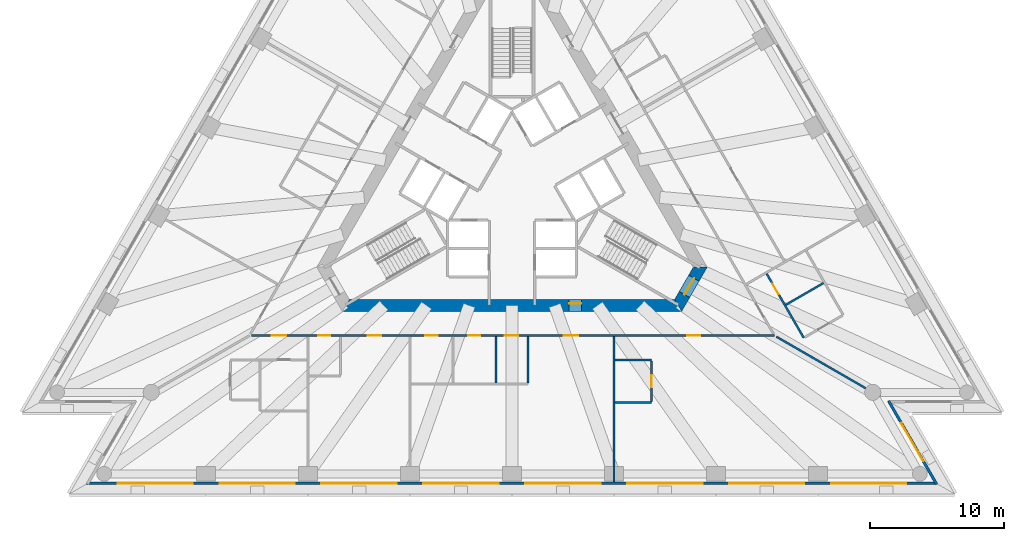
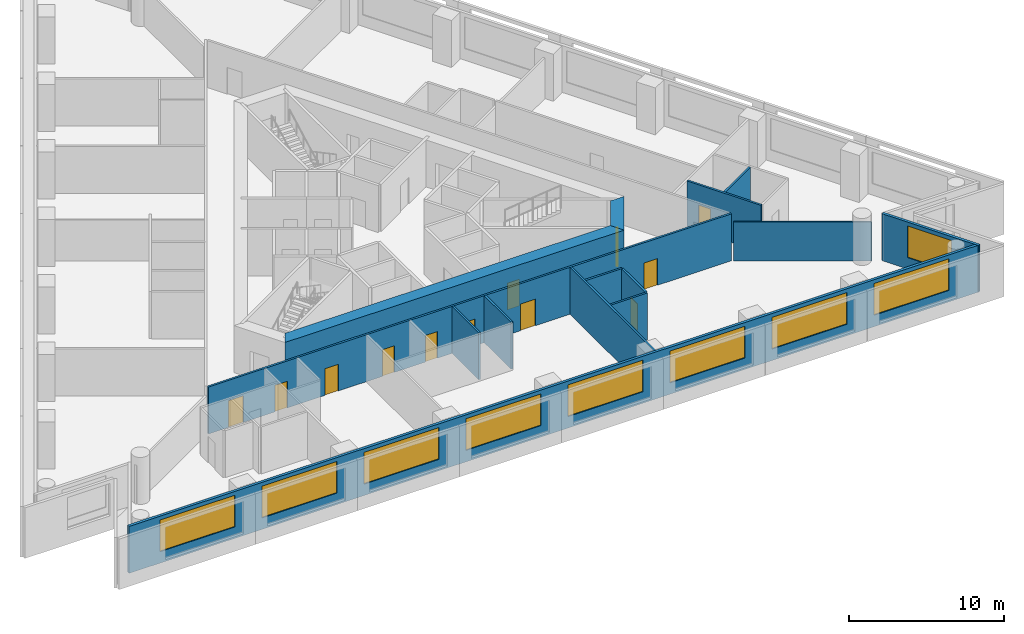
# One storey, part 5 of 11: 14 walls, 12 doors, 9 windows, 21 openings.
"""IFC4 building model written with IfcOpenShell, lengths in metres."""

from ifc_helpers import new_model, si_unit, direction, frame, frame_2d, origin, place, context, subcontext, project, spatial, polyline, rectangle, outline, extrude, material, layer, layer_set, layer_usage, type_object, element, fill, save


model = new_model("IFC4")

# Units and contexts
model_context = context("Model", 3, precision=1e-05, world=origin(), true_north=direction((0.0, 1.0)))
body_context = subcontext(model_context, "Body", "Model", "MODEL_VIEW")
ifc_project = project(units=[si_unit("LENGTHUNIT", "METRE"), si_unit("AREAUNIT", "SQUARE_METRE"), si_unit("VOLUMEUNIT", "CUBIC_METRE"), si_unit("PLANEANGLEUNIT", "RADIAN"), si_unit("MASSUNIT", "GRAM", prefix="KILO")], contexts=[model_context])

# Site, building, storey
site_placement = place(None, origin())
site = spatial("IfcSite", under=ifc_project, at=site_placement, CompositionType="ELEMENT")
building_placement = place(site_placement, origin())
building = spatial("IfcBuilding", under=site, at=building_placement, Name="Triada Interchange Tower", CompositionType="ELEMENT")
storey_placement = place(building_placement, frame((0.0, 0.0, 39.300048828125)))
storey = spatial("IfcBuildingStorey", under=building, at=storey_placement, Name="L07", CompositionType="ELEMENT", Elevation=39.300048828125)

# Wall, opening, door
ifc_material_1 = material(Name="Concrete C70/85", Category="concrete")
ifc_layer_1 = layer(ifc_material_1, 0.89990234375)
ifc_layer_set_1 = layer_set([ifc_layer_1], Name="Core wall A 900")
wall_type_1 = type_object("IfcWallType", Name="Core wall A 900", PredefinedType="SHEAR", material=ifc_layer_set_1)
wall_1_placement = place(storey_placement, frame((-12.384033203125, -9.050048828125, -0.300048828125), z_axis=(0.0, 0.0, 1.0), x_axis=(1.0, 0.0, 0.0)))
wall_1 = element("IfcWall", 1, at=wall_1_placement, inside=storey, type_object=wall_type_1, Name="Core wall WA04 L07", PredefinedType="SHEAR", context=body_context, shape_type="SweptSolid", body=[
    extrude(outline(polyline([(-0.260009765625, -0.449951171875), (1.685302734375, -0.449951171875), (3.63037109375, -0.449951171875), (5.57568359375, -0.449951171875), (7.52099609375, -0.449951171875), (9.466064453125, -0.449951171875), (11.411376953125, -0.449951171875), (13.356689453125, -0.449951171875), (15.302001953125, -0.449951171875), (17.2470703125, -0.449951171875), (19.1923828125, -0.449951171875), (21.1376953125, -0.449951171875), (23.082763671875, -0.449951171875), (25.028076171875, -0.449951171875), (24.508056640625, 0.449951171875), (22.642822265625, 0.449951171875), (20.777587890625, 0.449951171875), (18.912353515625, 0.449951171875), (17.047119140625, 0.449951171875), (15.181884765625, 0.449951171875), (13.316650390625, 0.449951171875), (11.451416015625, 0.449951171875), (9.586181640625, 0.449951171875), (7.720947265625, 0.449951171875), (5.855712890625, 0.449951171875), (3.990478515625, 0.449951171875), (2.125244140625, 0.449951171875), (0.260009765625, 0.449951171875), (-0.260009765625, -0.449951171875)])), origin(), (0.0, 0.0, 1.0), 4.0),
])
opening_1_placement = place(wall_1_placement, frame((16.64794921875, 0.0, 0.300048828125)))
opening_1 = element("IfcOpeningElement", 2, at=opening_1_placement, cuts=wall_1, Name="Opening D06-45", PredefinedType="OPENING", context=body_context, shape_type="SweptSolid", body=[
    extrude(rectangle(XDim=0.89990234375, YDim=2.10009765625, at=frame_2d((0.449951171875, 1.050048828125))), frame((0.0, 0.4599609375, 0.0), z_axis=(0.0, -1.0, 0.0), x_axis=(1.0, 0.0, 0.0)), (0.0, 0.0, 1.0), 0.919921875),
])
ifc_material_2 = material(Name="Steel S235 door leaf", Category="steel")
door_type_1 = type_object("IfcDoorType", Name="SERVICE DOOR 900 EI2 45-C5S200", OperationType="NOTDEFINED", PredefinedType="DOOR", material=ifc_material_2)
door_1_placement = place(opening_1_placement, origin())
door_1 = element("IfcDoor", 3, at=door_1_placement, inside=storey, type_object=door_type_1, Name="Door D06-45 L07", OperationType="SINGLE_SWING_LEFT", OverallHeight=2.10009765625, OverallWidth=0.89990234375, PredefinedType="DOOR", context=body_context, shape_type="SweptSolid", body=[
    extrude(rectangle(XDim=0.89990234375, YDim=2.10009765625, at=frame_2d((0.449951171875, 1.050048828125))), frame((0.0, 0.1748046875, 0.0), z_axis=(0.0, -1.0, 0.0), x_axis=(1.0, 0.0, 0.0)), (0.0, 0.0, 1.0), 0.050048828125),
])
fill(opening_1, door_1)

wall_2_placement = place(storey_placement, frame((12.384033203125, -9.050048828125, -0.300048828125), z_axis=(0.0, 0.0, 1.0), x_axis=(0.500111984565, 0.865960739811, 0.0)))
wall_2 = element("IfcWall", 4, at=wall_2_placement, inside=storey, type_object=wall_type_1, Name="Core wall WA05 L07", PredefinedType="SHEAR", context=body_context, shape_type="SweptSolid", body=[
    extrude(outline(polyline([(-0.260009765625, -0.449951171875), (1.6455078125, -0.449462890625), (3.551025390625, -0.448974609375), (3.031005859375, 0.449951171875), (1.6455078125, 0.449951171875), (0.260009765625, 0.449951171875), (-0.260009765625, -0.449951171875)])), origin(), (0.0, 0.0, 1.0), 4.0),
])
opening_2_placement = place(wall_2_placement, frame((0.946044921875, 0.0, 0.300048828125)))
opening_2 = element("IfcOpeningElement", 5, at=opening_2_placement, cuts=wall_2, Name="Opening D06-43", PredefinedType="OPENING", context=body_context, shape_type="SweptSolid", body=[
    extrude(rectangle(XDim=1.39990234375, YDim=2.10009765625, at=frame_2d((0.699951171875, 1.050048828125))), frame((0.0, 0.4599609375, 0.0), z_axis=(0.0, -1.0, 0.0), x_axis=(1.0, 0.0, 0.0)), (0.0, 0.0, 1.0), 0.919921875),
])
door_type_2 = type_object("IfcDoorType", Name="STAIR DOOR 1400 EI2 90-C5S200", OperationType="DOUBLE_DOOR_SINGLE_SWING", PredefinedType="DOOR", material=ifc_material_2)
door_2_placement = place(opening_2_placement, origin())
door_2 = element("IfcDoor", 6, at=door_2_placement, inside=storey, type_object=door_type_2, Name="Door D06-43 L07", OperationType="DOUBLE_DOOR_SINGLE_SWING", OverallHeight=2.10009765625, OverallWidth=1.39990234375, PredefinedType="DOOR", context=body_context, shape_type="SweptSolid", body=[
    extrude(rectangle(XDim=1.39990234375, YDim=2.10009765625, at=frame_2d((0.699951171875, 1.050048828125))), frame((0.0, 0.02490234375, 0.0), z_axis=(0.0, -1.0, 0.0), x_axis=(1.0, 0.0, 0.0)), (0.0, 0.0, 1.0), 0.050048828125),
])
fill(opening_2, door_2)

# Wall, openings, windows
ifc_material_3 = material(Name="Cement board")
ifc_layer_2 = layer(ifc_material_3, 0.02001953125, Name="Cement board cladding")
ifc_material_4 = material(Name="Sheathing board")
ifc_layer_3 = layer(ifc_material_4, 0.014892578125, Name="Sheathing board")
ifc_material_5 = material(Name="Mineral wool")
ifc_layer_4 = layer(ifc_material_5, 0.14990234375, Name="Mineral wool between steel studs")
ifc_material_6 = material(Name="Gypsum board")
ifc_layer_5 = layer(ifc_material_6, 0.014892578125, Name="Plasterboard lining")
ifc_layer_set_2 = layer_set([ifc_layer_2, ifc_layer_3, ifc_layer_4, ifc_layer_5], Name="External wall 200")
ifc_layer_usage = layer_usage(ifc_layer_set_2, "AXIS2", "POSITIVE", -0.10009765625)
wall_type_2 = type_object("IfcWallType", Name="External wall 200", PredefinedType="ELEMENTEDWALL", material=ifc_layer_set_2)
wall_3_placement = place(storey_placement, frame((-31.699951171875, -22.300048828125, 0.0), z_axis=(0.0, 0.0, 1.0), x_axis=(1.0, 0.0, 0.0)))
wall_3 = element("IfcWall", 7, at=wall_3_placement, inside=storey, type_object=wall_type_2, material=ifc_layer_usage, Name="External wall L07 S", PredefinedType="ELEMENTEDWALL", context=body_context, shape_type="SweptSolid", body=[
    extrude(rectangle(XDim=63.3798828125, YDim=0.199951171875, at=frame_2d((31.68994140625, 0.0))), origin(), (0.0, 0.0, 1.0), 3.699951171875),
])
opening_3_placement = place(wall_3_placement, frame((2.302978515625, 0.0, 0.89990234375)))
opening_3 = element("IfcOpeningElement", 8, at=opening_3_placement, cuts=wall_3, Name="Opening WA11", PredefinedType="OPENING", context=body_context, shape_type="SweptSolid", body=[
    extrude(rectangle(XDim=5.60009765625, YDim=2.5, at=frame_2d((2.800048828125, 1.25))), frame((0.0, 0.10986328125, 0.0), z_axis=(0.0, -1.0, 0.0), x_axis=(1.0, 0.0, 0.0)), (0.0, 0.0, 1.0), 0.219970703125),
])
opening_4_placement = place(wall_3_placement, frame((9.902099609375, 0.0, 0.89990234375)))
opening_4 = element("IfcOpeningElement", 9, at=opening_4_placement, cuts=wall_3, Name="Opening WA12", PredefinedType="OPENING", context=body_context, shape_type="SweptSolid", body=[
    extrude(rectangle(XDim=5.60009765625, YDim=2.5, at=frame_2d((2.800048828125, 1.25))), frame((0.0, 0.10986328125, 0.0), z_axis=(0.0, -1.0, 0.0), x_axis=(1.0, 0.0, 0.0)), (0.0, 0.0, 1.0), 0.219970703125),
])
opening_5_placement = place(wall_3_placement, frame((17.5009765625, 0.0, 0.89990234375)))
opening_5 = element("IfcOpeningElement", 10, at=opening_5_placement, cuts=wall_3, Name="Opening WA13", PredefinedType="OPENING", context=body_context, shape_type="SweptSolid", body=[
    extrude(rectangle(XDim=5.60009765625, YDim=2.5, at=frame_2d((2.800048828125, 1.25))), frame((0.0, 0.10986328125, 0.0), z_axis=(0.0, -1.0, 0.0), x_axis=(1.0, 0.0, 0.0)), (0.0, 0.0, 1.0), 0.219970703125),
])
opening_6_placement = place(wall_3_placement, frame((25.10009765625, 0.0, 0.89990234375)))
opening_6 = element("IfcOpeningElement", 11, at=opening_6_placement, cuts=wall_3, Name="Opening WA14", PredefinedType="OPENING", context=body_context, shape_type="SweptSolid", body=[
    extrude(rectangle(XDim=5.60009765625, YDim=2.5, at=frame_2d((2.800048828125, 1.25))), frame((0.0, 0.10986328125, 0.0), z_axis=(0.0, -1.0, 0.0), x_axis=(1.0, 0.0, 0.0)), (0.0, 0.0, 1.0), 0.219970703125),
])
opening_7_placement = place(wall_3_placement, frame((32.699951171875, 0.0, 0.89990234375)))
opening_7 = element("IfcOpeningElement", 12, at=opening_7_placement, cuts=wall_3, Name="Opening WA15", PredefinedType="OPENING", context=body_context, shape_type="SweptSolid", body=[
    extrude(rectangle(XDim=5.60009765625, YDim=2.5, at=frame_2d((2.800048828125, 1.25))), frame((0.0, 0.10986328125, 0.0), z_axis=(0.0, -1.0, 0.0), x_axis=(1.0, 0.0, 0.0)), (0.0, 0.0, 1.0), 0.219970703125),
])
opening_8_placement = place(wall_3_placement, frame((40.299072265625, 0.0, 0.89990234375)))
opening_8 = element("IfcOpeningElement", 13, at=opening_8_placement, cuts=wall_3, Name="Opening WA16", PredefinedType="OPENING", context=body_context, shape_type="SweptSolid", body=[
    extrude(rectangle(XDim=5.60009765625, YDim=2.5, at=frame_2d((2.800048828125, 1.25))), frame((0.0, 0.10986328125, 0.0), z_axis=(0.0, -1.0, 0.0), x_axis=(1.0, 0.0, 0.0)), (0.0, 0.0, 1.0), 0.219970703125),
])
opening_9_placement = place(wall_3_placement, frame((47.89794921875, 0.0, 0.89990234375)))
opening_9 = element("IfcOpeningElement", 14, at=opening_9_placement, cuts=wall_3, Name="Opening WA17", PredefinedType="OPENING", context=body_context, shape_type="SweptSolid", body=[
    extrude(rectangle(XDim=5.60009765625, YDim=2.5, at=frame_2d((2.800048828125, 1.25))), frame((0.0, 0.10986328125, 0.0), z_axis=(0.0, -1.0, 0.0), x_axis=(1.0, 0.0, 0.0)), (0.0, 0.0, 1.0), 0.219970703125),
])
opening_10_placement = place(wall_3_placement, frame((55.4970703125, 0.0, 0.89990234375)))
opening_10 = element("IfcOpeningElement", 15, at=opening_10_placement, cuts=wall_3, Name="Opening WA18", PredefinedType="OPENING", context=body_context, shape_type="SweptSolid", body=[
    extrude(rectangle(XDim=5.60009765625, YDim=2.5, at=frame_2d((2.800048828125, 1.25))), frame((0.0, 0.10986328125, 0.0), z_axis=(0.0, -1.0, 0.0), x_axis=(1.0, 0.0, 0.0)), (0.0, 0.0, 1.0), 0.219970703125),
])
ifc_material_7 = material(Name="Double glazed aluminium window", Category="aluminium")
window_type_1 = type_object("IfcWindowType", Name="Ribbon window A face", PartitioningType="SINGLE_PANEL", PredefinedType="WINDOW", material=ifc_material_7)
window_1_placement = place(opening_3_placement, origin())
window_1 = element("IfcWindow", 16, at=window_1_placement, inside=storey, type_object=window_type_1, Name="Window L07 S 1", OverallHeight=2.5, OverallWidth=5.60009765625, PartitioningType="SINGLE_PANEL", PredefinedType="WINDOW", context=body_context, shape_type="SweptSolid", body=[
    extrude(rectangle(XDim=5.60009765625, YDim=2.5, at=frame_2d((2.800048828125, 1.25))), frame((0.0, 0.030029296875, 0.0), z_axis=(0.0, -1.0, 0.0), x_axis=(1.0, 0.0, 0.0)), (0.0, 0.0, 1.0), 0.06005859375),
])
fill(opening_3, window_1)
window_2_placement = place(opening_4_placement, origin())
window_2 = element("IfcWindow", 17, at=window_2_placement, inside=storey, type_object=window_type_1, Name="Window L07 S 2", OverallHeight=2.5, OverallWidth=5.60009765625, PartitioningType="SINGLE_PANEL", PredefinedType="WINDOW", context=body_context, shape_type="SweptSolid", body=[
    extrude(rectangle(XDim=5.60009765625, YDim=2.5, at=frame_2d((2.800048828125, 1.25))), frame((0.0, 0.030029296875, 0.0), z_axis=(0.0, -1.0, 0.0), x_axis=(1.0, 0.0, 0.0)), (0.0, 0.0, 1.0), 0.06005859375),
])
fill(opening_4, window_2)
window_3_placement = place(opening_5_placement, origin())
window_3 = element("IfcWindow", 18, at=window_3_placement, inside=storey, type_object=window_type_1, Name="Window L07 S 3", OverallHeight=2.5, OverallWidth=5.60009765625, PartitioningType="SINGLE_PANEL", PredefinedType="WINDOW", context=body_context, shape_type="SweptSolid", body=[
    extrude(rectangle(XDim=5.60009765625, YDim=2.5, at=frame_2d((2.800048828125, 1.25))), frame((0.0, 0.030029296875, 0.0), z_axis=(0.0, -1.0, 0.0), x_axis=(1.0, 0.0, 0.0)), (0.0, 0.0, 1.0), 0.06005859375),
])
fill(opening_5, window_3)
window_4_placement = place(opening_6_placement, origin())
window_4 = element("IfcWindow", 19, at=window_4_placement, inside=storey, type_object=window_type_1, Name="Window L07 S 4", OverallHeight=2.5, OverallWidth=5.60009765625, PartitioningType="SINGLE_PANEL", PredefinedType="WINDOW", context=body_context, shape_type="SweptSolid", body=[
    extrude(rectangle(XDim=5.60009765625, YDim=2.5, at=frame_2d((2.800048828125, 1.25))), frame((0.0, 0.030029296875, 0.0), z_axis=(0.0, -1.0, 0.0), x_axis=(1.0, 0.0, 0.0)), (0.0, 0.0, 1.0), 0.06005859375),
])
fill(opening_6, window_4)
window_5_placement = place(opening_7_placement, origin())
window_5 = element("IfcWindow", 20, at=window_5_placement, inside=storey, type_object=window_type_1, Name="Window L07 S 5", OverallHeight=2.5, OverallWidth=5.60009765625, PartitioningType="SINGLE_PANEL", PredefinedType="WINDOW", context=body_context, shape_type="SweptSolid", body=[
    extrude(rectangle(XDim=5.60009765625, YDim=2.5, at=frame_2d((2.800048828125, 1.25))), frame((0.0, 0.030029296875, 0.0), z_axis=(0.0, -1.0, 0.0), x_axis=(1.0, 0.0, 0.0)), (0.0, 0.0, 1.0), 0.06005859375),
])
fill(opening_7, window_5)
window_6_placement = place(opening_8_placement, origin())
window_6 = element("IfcWindow", 21, at=window_6_placement, inside=storey, type_object=window_type_1, Name="Window L07 S 6", OverallHeight=2.5, OverallWidth=5.60009765625, PartitioningType="SINGLE_PANEL", PredefinedType="WINDOW", context=body_context, shape_type="SweptSolid", body=[
    extrude(rectangle(XDim=5.60009765625, YDim=2.5, at=frame_2d((2.800048828125, 1.25))), frame((0.0, 0.030029296875, 0.0), z_axis=(0.0, -1.0, 0.0), x_axis=(1.0, 0.0, 0.0)), (0.0, 0.0, 1.0), 0.06005859375),
])
fill(opening_8, window_6)
window_7_placement = place(opening_9_placement, origin())
window_7 = element("IfcWindow", 22, at=window_7_placement, inside=storey, type_object=window_type_1, Name="Window L07 S 7", OverallHeight=2.5, OverallWidth=5.60009765625, PartitioningType="SINGLE_PANEL", PredefinedType="WINDOW", context=body_context, shape_type="SweptSolid", body=[
    extrude(rectangle(XDim=5.60009765625, YDim=2.5, at=frame_2d((2.800048828125, 1.25))), frame((0.0, 0.030029296875, 0.0), z_axis=(0.0, -1.0, 0.0), x_axis=(1.0, 0.0, 0.0)), (0.0, 0.0, 1.0), 0.06005859375),
])
fill(opening_9, window_7)
window_8_placement = place(opening_10_placement, origin())
window_8 = element("IfcWindow", 23, at=window_8_placement, inside=storey, type_object=window_type_1, Name="Window L07 S 8", OverallHeight=2.5, OverallWidth=5.60009765625, PartitioningType="SINGLE_PANEL", PredefinedType="WINDOW", context=body_context, shape_type="SweptSolid", body=[
    extrude(rectangle(XDim=5.60009765625, YDim=2.5, at=frame_2d((2.800048828125, 1.25))), frame((0.0, 0.030029296875, 0.0), z_axis=(0.0, -1.0, 0.0), x_axis=(1.0, 0.0, 0.0)), (0.0, 0.0, 1.0), 0.06005859375),
])
fill(opening_10, window_8)

# Wall, opening, window
wall_4_placement = place(storey_placement, frame((31.655029296875, -22.3779296875, 0.0), z_axis=(0.0, 0.0, 1.0), x_axis=(-0.499930606701, 0.866065464318, 0.0)))
wall_4 = element("IfcWall", 24, at=wall_4_placement, inside=storey, type_object=wall_type_2, material=ifc_layer_usage, Name="External wall L07 SE-1", PredefinedType="ELEMENTEDWALL", context=body_context, shape_type="SweptSolid", body=[
    extrude(rectangle(XDim=7.1748046875, YDim=0.199951171875, at=frame_2d((3.58740234375, 0.0))), origin(), (0.0, 0.0, 1.0), 3.699951171875),
])
opening_11_placement = place(wall_4_placement, frame((1.989990234375, 0.0, 0.89990234375)))
opening_11 = element("IfcOpeningElement", 25, at=opening_11_placement, cuts=wall_4, Name="Opening WA19", PredefinedType="OPENING", context=body_context, shape_type="SweptSolid", body=[
    extrude(rectangle(XDim=3.300048828125, YDim=2.5, at=frame_2d((1.64990234375, 1.25))), frame((0.0, 0.10986328125, 0.0), z_axis=(0.0, -1.0, 0.0), x_axis=(1.0, 0.0, 0.0)), (0.0, 0.0, 1.0), 0.219970703125),
])
window_type_2 = type_object("IfcWindowType", Name="Ribbon window A pocket", PartitioningType="SINGLE_PANEL", PredefinedType="WINDOW", material=ifc_material_7)
window_9_placement = place(opening_11_placement, origin())
window_9 = element("IfcWindow", 26, at=window_9_placement, inside=storey, type_object=window_type_2, Name="Window L07 SE-1 1", OverallHeight=2.5, OverallWidth=3.300048828125, PartitioningType="SINGLE_PANEL", PredefinedType="WINDOW", context=body_context, shape_type="SweptSolid", body=[
    extrude(rectangle(XDim=3.300048828125, YDim=2.5, at=frame_2d((1.64990234375, 1.25))), frame((0.0, 0.030029296875, 0.0), z_axis=(0.0, -1.0, 0.0), x_axis=(1.0, 0.0, 0.0)), (0.0, 0.0, 1.0), 0.06005859375),
])
fill(opening_11, window_9)

# Wall, openings, doors
ifc_material_8 = material(Name="Gypsum board partition")
ifc_layer_6 = layer(ifc_material_8, 0.14990234375)
ifc_layer_set_3 = layer_set([ifc_layer_6], Name="PARTITION 150 EI 180")
wall_type_3 = type_object("IfcWallType", Name="PARTITION 150 EI 180", PredefinedType="PARTITIONING", material=ifc_layer_set_3)
wall_5_placement = place(storey_placement, frame((-19.422119140625, -11.300048828125, 0.0), z_axis=(0.0, 0.0, 1.0), x_axis=(1.0, 0.0, 0.0)))
wall_5 = element("IfcWall", 27, at=wall_5_placement, inside=storey, type_object=wall_type_3, Name="Wall L06 5", PredefinedType="PARTITIONING", context=body_context, shape_type="SweptSolid", body=[
    extrude(rectangle(XDim=38.994140625, YDim=0.14990234375, at=frame_2d((19.4970703125, 0.0))), origin(), (0.0, 0.0, 1.0), 3.699951171875),
])
opening_12_placement = place(wall_5_placement, frame((1.5, 0.0, 0.0)))
opening_12 = element("IfcOpeningElement", 28, at=opening_12_placement, cuts=wall_5, Name="Opening D06-11", PredefinedType="OPENING", context=body_context, shape_type="SweptSolid", body=[
    extrude(rectangle(XDim=1.10009765625, YDim=2.10009765625, at=frame_2d((0.550048828125, 1.050048828125))), frame((0.0, 0.0849609375, 0.0), z_axis=(0.0, -1.0, 0.0), x_axis=(1.0, 0.0, 0.0)), (0.0, 0.0, 1.0), 0.169921875),
])
opening_13_placement = place(wall_5_placement, frame((8.674072265625, 0.0, 0.0)))
opening_13 = element("IfcOpeningElement", 29, at=opening_13_placement, cuts=wall_5, Name="Opening D06-14", PredefinedType="OPENING", context=body_context, shape_type="SweptSolid", body=[
    extrude(rectangle(XDim=1.0, YDim=2.10009765625, at=frame_2d((0.5, 1.050048828125))), frame((0.0, 0.0849609375, 0.0), z_axis=(0.0, -1.0, 0.0), x_axis=(1.0, 0.0, 0.0)), (0.0, 0.0, 1.0), 0.169921875),
])
opening_14_placement = place(wall_5_placement, frame((4.97412109375, 0.0, 0.0)))
opening_14 = element("IfcOpeningElement", 30, at=opening_14_placement, cuts=wall_5, Name="Opening D06-15", PredefinedType="OPENING", context=body_context, shape_type="SweptSolid", body=[
    extrude(rectangle(XDim=0.89990234375, YDim=2.10009765625, at=frame_2d((0.449951171875, 1.050048828125))), frame((0.0, 0.0849609375, 0.0), z_axis=(0.0, -1.0, 0.0), x_axis=(1.0, 0.0, 0.0)), (0.0, 0.0, 1.0), 0.169921875),
])
opening_15_placement = place(wall_5_placement, frame((23.27294921875, 0.0, 0.0)))
opening_15 = element("IfcOpeningElement", 31, at=opening_15_placement, cuts=wall_5, Name="Opening D06-16", PredefinedType="OPENING", context=body_context, shape_type="SweptSolid", body=[
    extrude(rectangle(XDim=1.10009765625, YDim=2.10009765625, at=frame_2d((0.550048828125, 1.050048828125))), frame((0.0, 0.0849609375, 0.0), z_axis=(0.0, -1.0, 0.0), x_axis=(1.0, 0.0, 0.0)), (0.0, 0.0, 1.0), 0.169921875),
])
opening_16_placement = place(wall_5_placement, frame((12.972900390625, 0.0, 0.0)))
opening_16 = element("IfcOpeningElement", 32, at=opening_16_placement, cuts=wall_5, Name="Opening D06-17", PredefinedType="OPENING", context=body_context, shape_type="SweptSolid", body=[
    extrude(rectangle(XDim=0.89990234375, YDim=2.10009765625, at=frame_2d((0.449951171875, 1.050048828125))), frame((0.0, 0.0849609375, 0.0), z_axis=(0.0, -1.0, 0.0), x_axis=(1.0, 0.0, 0.0)), (0.0, 0.0, 1.0), 0.169921875),
])
opening_17_placement = place(wall_5_placement, frame((16.173095703125, 0.0, 0.0)))
opening_17 = element("IfcOpeningElement", 33, at=opening_17_placement, cuts=wall_5, Name="Opening D06-18", PredefinedType="OPENING", context=body_context, shape_type="SweptSolid", body=[
    extrude(rectangle(XDim=0.89990234375, YDim=2.10009765625, at=frame_2d((0.449951171875, 1.050048828125))), frame((0.0, 0.0849609375, 0.0), z_axis=(0.0, -1.0, 0.0), x_axis=(1.0, 0.0, 0.0)), (0.0, 0.0, 1.0), 0.169921875),
])
opening_18_placement = place(wall_5_placement, frame((18.873046875, 0.0, 0.0)))
opening_18 = element("IfcOpeningElement", 34, at=opening_18_placement, cuts=wall_5, Name="Opening D06-19", PredefinedType="OPENING", context=body_context, shape_type="SweptSolid", body=[
    extrude(rectangle(XDim=1.0, YDim=2.10009765625, at=frame_2d((0.5, 1.050048828125))), frame((0.0, 0.0849609375, 0.0), z_axis=(0.0, -1.0, 0.0), x_axis=(1.0, 0.0, 0.0)), (0.0, 0.0, 1.0), 0.169921875),
])
opening_19_placement = place(wall_5_placement, frame((32.470947265625, 0.0, 0.0)))
opening_19 = element("IfcOpeningElement", 35, at=opening_19_placement, cuts=wall_5, Name="Opening D06-20", PredefinedType="OPENING", context=body_context, shape_type="SweptSolid", body=[
    extrude(rectangle(XDim=1.0, YDim=2.10009765625, at=frame_2d((0.5, 1.050048828125))), frame((0.0, 0.0849609375, 0.0), z_axis=(0.0, -1.0, 0.0), x_axis=(1.0, 0.0, 0.0)), (0.0, 0.0, 1.0), 0.169921875),
])
door_type_3 = type_object("IfcDoorType", Name="ROOM DOOR 1000 EI2 90-C5S200", OperationType="NOTDEFINED", PredefinedType="DOOR", material=ifc_material_2)
door_3_placement = place(opening_13_placement, origin())
door_3 = element("IfcDoor", 36, at=door_3_placement, inside=storey, type_object=door_type_3, Name="Door D06-14 L07", OperationType="SINGLE_SWING_LEFT", OverallHeight=2.10009765625, OverallWidth=1.0, PredefinedType="DOOR", context=body_context, shape_type="SweptSolid", body=[
    extrude(rectangle(XDim=1.0, YDim=2.10009765625, at=frame_2d((0.5, 1.050048828125))), frame((0.0, 0.02490234375, 0.0), z_axis=(0.0, -1.0, 0.0), x_axis=(1.0, 0.0, 0.0)), (0.0, 0.0, 1.0), 0.050048828125),
])
fill(opening_13, door_3)
door_4_placement = place(opening_18_placement, origin())
door_4 = element("IfcDoor", 37, at=door_4_placement, inside=storey, type_object=door_type_3, Name="Door D06-19 L07", OperationType="SINGLE_SWING_LEFT", OverallHeight=2.10009765625, OverallWidth=1.0, PredefinedType="DOOR", context=body_context, shape_type="SweptSolid", body=[
    extrude(rectangle(XDim=1.0, YDim=2.10009765625, at=frame_2d((0.5, 1.050048828125))), frame((0.0, 0.02490234375, 0.0), z_axis=(0.0, -1.0, 0.0), x_axis=(1.0, 0.0, 0.0)), (0.0, 0.0, 1.0), 0.050048828125),
])
fill(opening_18, door_4)
door_5_placement = place(opening_19_placement, origin())
door_5 = element("IfcDoor", 38, at=door_5_placement, inside=storey, type_object=door_type_3, Name="Door D06-20 L07", OperationType="SINGLE_SWING_LEFT", OverallHeight=2.10009765625, OverallWidth=1.0, PredefinedType="DOOR", context=body_context, shape_type="SweptSolid", body=[
    extrude(rectangle(XDim=1.0, YDim=2.10009765625, at=frame_2d((0.5, 1.050048828125))), frame((0.0, 0.02490234375, 0.0), z_axis=(0.0, -1.0, 0.0), x_axis=(1.0, 0.0, 0.0)), (0.0, 0.0, 1.0), 0.050048828125),
])
fill(opening_19, door_5)
door_type_4 = type_object("IfcDoorType", Name="ROOM DOOR 900 EI2 90-C5S200", OperationType="NOTDEFINED", PredefinedType="DOOR", material=ifc_material_2)
door_6_placement = place(opening_16_placement, origin())
door_6 = element("IfcDoor", 39, at=door_6_placement, inside=storey, type_object=door_type_4, Name="Door D06-17 L07", OperationType="SINGLE_SWING_RIGHT", OverallHeight=2.10009765625, OverallWidth=0.89990234375, PredefinedType="DOOR", context=body_context, shape_type="SweptSolid", body=[
    extrude(rectangle(XDim=0.89990234375, YDim=2.10009765625, at=frame_2d((0.449951171875, 1.050048828125))), frame((0.0, 0.02490234375, 0.0), z_axis=(0.0, -1.0, 0.0), x_axis=(1.0, 0.0, 0.0)), (0.0, 0.0, 1.0), 0.050048828125),
])
fill(opening_16, door_6)
door_7_placement = place(opening_17_placement, origin())
door_7 = element("IfcDoor", 40, at=door_7_placement, inside=storey, type_object=door_type_4, Name="Door D06-18 L07", OperationType="SINGLE_SWING_RIGHT", OverallHeight=2.10009765625, OverallWidth=0.89990234375, PredefinedType="DOOR", context=body_context, shape_type="SweptSolid", body=[
    extrude(rectangle(XDim=0.89990234375, YDim=2.10009765625, at=frame_2d((0.449951171875, 1.050048828125))), frame((0.0, 0.02490234375, 0.0), z_axis=(0.0, -1.0, 0.0), x_axis=(1.0, 0.0, 0.0)), (0.0, 0.0, 1.0), 0.050048828125),
])
fill(opening_17, door_7)
door_type_5 = type_object("IfcDoorType", Name="SERVICE DOOR 900 EI2 90-C5S200", OperationType="NOTDEFINED", PredefinedType="DOOR", material=ifc_material_2)
door_8_placement = place(opening_14_placement, origin())
door_8 = element("IfcDoor", 41, at=door_8_placement, inside=storey, type_object=door_type_5, Name="Door D06-15 L07", OperationType="SINGLE_SWING_RIGHT", OverallHeight=2.10009765625, OverallWidth=0.89990234375, PredefinedType="DOOR", context=body_context, shape_type="SweptSolid", body=[
    extrude(rectangle(XDim=0.89990234375, YDim=2.10009765625, at=frame_2d((0.449951171875, 1.050048828125))), frame((0.0, 0.02490234375, 0.0), z_axis=(0.0, -1.0, 0.0), x_axis=(1.0, 0.0, 0.0)), (0.0, 0.0, 1.0), 0.050048828125),
])
fill(opening_14, door_8)
door_type_6 = type_object("IfcDoorType", Name="TENANCY ENTRANCE DOOR 1100 EI2 90-C5S200", OperationType="NOTDEFINED", PredefinedType="DOOR", material=ifc_material_2)
door_9_placement = place(opening_12_placement, origin())
door_9 = element("IfcDoor", 42, at=door_9_placement, inside=storey, type_object=door_type_6, Name="Door D06-11 L07", OperationType="SINGLE_SWING_RIGHT", OverallHeight=2.10009765625, OverallWidth=1.10009765625, PredefinedType="DOOR", context=body_context, shape_type="SweptSolid", body=[
    extrude(rectangle(XDim=1.10009765625, YDim=2.10009765625, at=frame_2d((0.550048828125, 1.050048828125))), frame((0.0, 0.02490234375, 0.0), z_axis=(0.0, -1.0, 0.0), x_axis=(1.0, 0.0, 0.0)), (0.0, 0.0, 1.0), 0.050048828125),
])
fill(opening_12, door_9)
door_10_placement = place(opening_15_placement, origin())
door_10 = element("IfcDoor", 43, at=door_10_placement, inside=storey, type_object=door_type_6, Name="Door D06-16 L07", OperationType="SINGLE_SWING_RIGHT", OverallHeight=2.10009765625, OverallWidth=1.10009765625, PredefinedType="DOOR", context=body_context, shape_type="SweptSolid", body=[
    extrude(rectangle(XDim=1.10009765625, YDim=2.10009765625, at=frame_2d((0.550048828125, 1.050048828125))), frame((0.0, 0.02490234375, 0.0), z_axis=(0.0, -1.0, 0.0), x_axis=(1.0, 0.0, 0.0)), (0.0, 0.0, 1.0), 0.050048828125),
])
fill(opening_15, door_10)

# Walls
wall_6_placement = place(storey_placement, frame((19.701904296875, -11.375, 0.0), z_axis=(0.0, 0.0, 1.0), x_axis=(0.866031533484, -0.499989382899, 0.0)))
element("IfcWall", 44, at=wall_6_placement, inside=storey, type_object=wall_type_3, Name="Wall L06 7", PredefinedType="PARTITIONING", context=body_context, shape_type="SweptSolid", body=[
    extrude(rectangle(XDim=8.920166015625, YDim=0.14990234375, at=frame_2d((4.4599609375, 0.0))), origin(), (0.0, 0.0, 1.0), 3.050048828125),
])
for number, where, z_axis, x_axis, name in (
    (45, (1.200927734375, -14.824951171875, 0.0), (0.0, 0.0, 1.0), (0.0, 1.0, 0.0), "Wall L06 22"),
    (46, (-1.198974609375, -14.824951171875, 0.0), (0.0, 0.0, 1.0), (0.0, 1.0, 0.0), "Wall L06 23"),
):
    element("IfcWall", number, at=place(storey_placement, frame(where, z_axis=z_axis, x_axis=x_axis)), inside=storey, type_object=wall_type_3, Name=name, PredefinedType="PARTITIONING", context=body_context, shape_type="SweptSolid", body=[
        extrude(rectangle(XDim=3.449951171875, YDim=0.14990234375, at=frame_2d((1.72509765625, 0.0))), origin(), (0.0, 0.0, 1.0), 3.699951171875),
    ])
wall_7_placement = place(storey_placement, frame((7.59912109375, -22.219970703125, 0.0), z_axis=(0.0, 0.0, 1.0), x_axis=(0.0, 1.0, 0.0)))
element("IfcWall", 47, at=wall_7_placement, inside=storey, type_object=wall_type_3, Name="Wall L06 29", PredefinedType="PARTITIONING", context=body_context, shape_type="SweptSolid", body=[
    extrude(rectangle(XDim=10.844970703125, YDim=0.14990234375, at=frame_2d((5.42236328125, 0.0))), origin(), (0.0, 0.0, 1.0), 3.699951171875),
])
ifc_layer_7 = layer(ifc_material_8, 0.14990234375)
ifc_layer_set_4 = layer_set([ifc_layer_7], Name="PARTITION 150 EI 90")
wall_type_4 = type_object("IfcWallType", Name="PARTITION 150 EI 90", PredefinedType="PARTITIONING", material=ifc_layer_set_4)
for number, where, z_axis, x_axis, name in (
    (48, (7.674072265625, -13.10009765625, 0.0), (0.0, 0.0, 1.0), (1.0, 0.0, 0.0), "Wall L06 35"),
    (49, (7.674072265625, -16.300048828125, 0.0), (0.0, 0.0, 1.0), (1.0, 0.0, 0.0), "Wall L06 39"),
):
    element("IfcWall", number, at=place(storey_placement, frame(where, z_axis=z_axis, x_axis=x_axis)), inside=storey, type_object=wall_type_4, Name=name, PredefinedType="PARTITIONING", context=body_context, shape_type="SweptSolid", body=[
        extrude(rectangle(XDim=2.724853515625, YDim=0.14990234375, at=frame_2d((1.3623046875, 0.0))), origin(), (0.0, 0.0, 1.0), 3.699951171875),
    ])

# Wall, opening, door
wall_8_placement = place(storey_placement, frame((10.39892578125, -16.22509765625, 0.0), z_axis=(0.0, 0.0, 1.0), x_axis=(0.0, 1.0, 0.0)))
wall_8 = element("IfcWall", 50, at=wall_8_placement, inside=storey, type_object=wall_type_4, Name="Wall L06 40", PredefinedType="PARTITIONING", context=body_context, shape_type="SweptSolid", body=[
    extrude(rectangle(XDim=3.050048828125, YDim=0.14990234375, at=frame_2d((1.52490234375, 0.0))), origin(), (0.0, 0.0, 1.0), 3.699951171875),
])
opening_20_placement = place(wall_8_placement, frame((1.074951171875, 0.0, 0.0)))
opening_20 = element("IfcOpeningElement", 51, at=opening_20_placement, cuts=wall_8, Name="Opening D06-21", PredefinedType="OPENING", context=body_context, shape_type="SweptSolid", body=[
    extrude(rectangle(XDim=0.89990234375, YDim=2.10009765625, at=frame_2d((0.449951171875, 1.050048828125))), frame((0.0, 0.0849609375, 0.0), z_axis=(0.0, -1.0, 0.0), x_axis=(1.0, 0.0, 0.0)), (0.0, 0.0, 1.0), 0.169921875),
])
door_type_7 = type_object("IfcDoorType", Name="ROOM DOOR 900 EI2 45-C5S200", OperationType="NOTDEFINED", PredefinedType="DOOR", material=ifc_material_2)
door_11_placement = place(opening_20_placement, origin())
door_11 = element("IfcDoor", 52, at=door_11_placement, inside=storey, type_object=door_type_7, Name="Door D06-21 L07", OperationType="SINGLE_SWING_RIGHT", OverallHeight=2.10009765625, OverallWidth=0.89990234375, PredefinedType="DOOR", context=body_context, shape_type="SweptSolid", body=[
    extrude(rectangle(XDim=0.89990234375, YDim=2.10009765625, at=frame_2d((0.449951171875, 1.050048828125))), frame((0.0, 0.02490234375, 0.0), z_axis=(0.0, -1.0, 0.0), x_axis=(1.0, 0.0, 0.0)), (0.0, 0.0, 1.0), 0.050048828125),
])
fill(opening_20, door_11)

# Wall
wall_9_placement = place(storey_placement, frame((20.409912109375, -9.0, 0.0), z_axis=(0.0, 0.0, 1.0), x_axis=(0.86599666273, 0.500049777664, 0.0)))
element("IfcWall", 53, at=wall_9_placement, inside=storey, type_object=wall_type_4, Name="Wall L06 42", PredefinedType="PARTITIONING", context=body_context, shape_type="SweptSolid", body=[
    extrude(rectangle(XDim=3.249755859375, YDim=0.14990234375, at=frame_2d((1.625, 0.0))), origin(), (0.0, 0.0, 1.0), 3.699951171875),
])

# Wall, opening, door
wall_10_placement = place(storey_placement, frame((18.98193359375, -6.677978515625, 0.0), z_axis=(0.0, 0.0, 1.0), x_axis=(0.500083244257, -0.865977337356, 0.0)))
wall_10 = element("IfcWall", 54, at=wall_10_placement, inside=storey, type_object=wall_type_4, Name="Wall L06 44", PredefinedType="PARTITIONING", context=body_context, shape_type="SweptSolid", body=[
    extrude(rectangle(XDim=5.525390625, YDim=0.14990234375, at=frame_2d((2.7626953125, 0.0))), origin(), (0.0, 0.0, 1.0), 3.699951171875),
])
opening_21_placement = place(wall_10_placement, frame((0.875, 0.0, 0.0)))
opening_21 = element("IfcOpeningElement", 55, at=opening_21_placement, cuts=wall_10, Name="Opening D06-23", PredefinedType="OPENING", context=body_context, shape_type="SweptSolid", body=[
    extrude(rectangle(XDim=0.89990234375, YDim=2.10009765625, at=frame_2d((0.449951171875, 1.050048828125))), frame((0.0, 0.0849609375, 0.0), z_axis=(0.0, -1.0, 0.0), x_axis=(1.0, 0.0, 0.0)), (0.0, 0.0, 1.0), 0.169921875),
])
door_12_placement = place(opening_21_placement, origin())
door_12 = element("IfcDoor", 56, at=door_12_placement, inside=storey, type_object=door_type_7, Name="Door D06-23 L07", OperationType="SINGLE_SWING_LEFT", OverallHeight=2.10009765625, OverallWidth=0.89990234375, PredefinedType="DOOR", context=body_context, shape_type="SweptSolid", body=[
    extrude(rectangle(XDim=0.89990234375, YDim=2.10009765625, at=frame_2d((0.449951171875, 1.050048828125))), frame((0.0, 0.02490234375, 0.0), z_axis=(0.0, -1.0, 0.0), x_axis=(1.0, 0.0, 0.0)), (0.0, 0.0, 1.0), 0.050048828125),
])
fill(opening_21, door_12)

save(model, "model.ifc")
